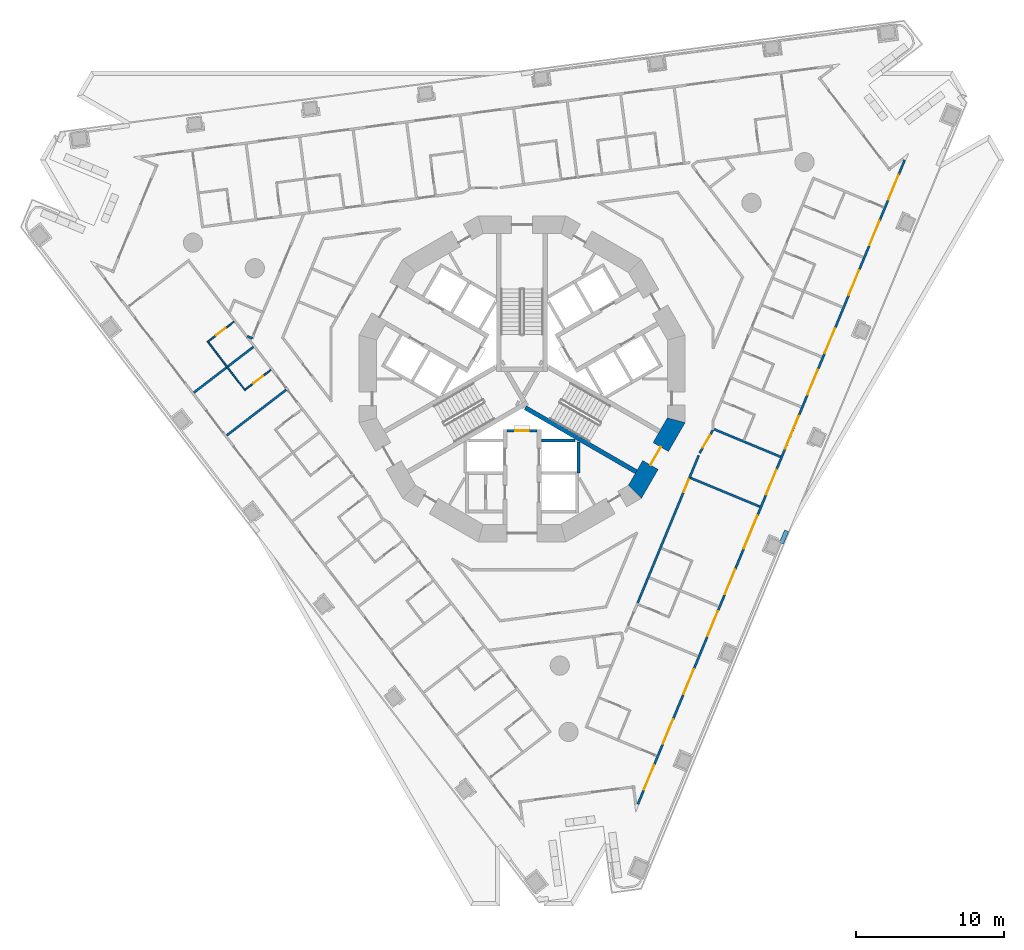
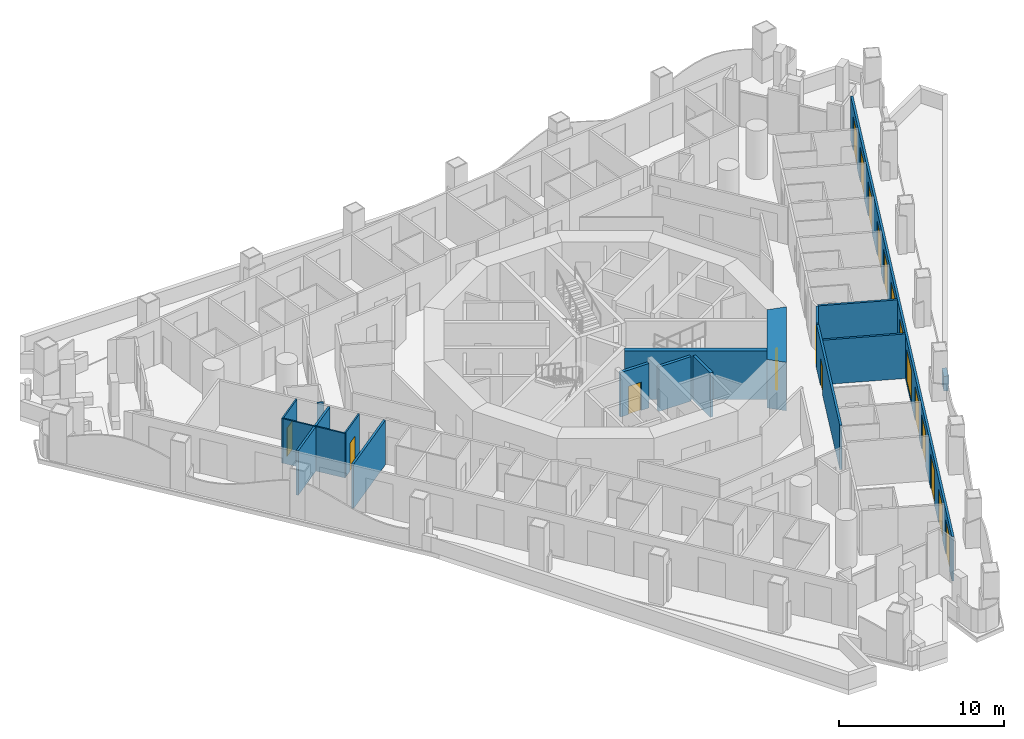
# One storey, part 5 of 20: 18 walls, 17 doors, 2 windows, 19 openings.
"""IFC4 building model written with IfcOpenShell, lengths in metres."""

from ifc_helpers import new_model, si_unit, direction, frame, frame_2d, origin, place, context, subcontext, project, spatial, polyline, rectangle, outline, extrude, material, layer, layer_set, type_object, element, fill, save


model = new_model("IFC4")

# Units and contexts
model_context = context("Model", 3, precision=1e-05, world=origin(), true_north=direction((0.0, 1.0)))
body_context = subcontext(model_context, "Body", "Model", "MODEL_VIEW")
ifc_project = project(units=[si_unit("LENGTHUNIT", "METRE"), si_unit("AREAUNIT", "SQUARE_METRE"), si_unit("VOLUMEUNIT", "CUBIC_METRE"), si_unit("PLANEANGLEUNIT", "RADIAN"), si_unit("MASSUNIT", "GRAM", prefix="KILO")], contexts=[model_context])

# Site, building, storey
site_placement = place(None, origin())
site = spatial("IfcSite", under=ifc_project, at=site_placement, CompositionType="ELEMENT")
building_placement = place(site_placement, origin())
building = spatial("IfcBuilding", under=site, at=building_placement, Name="Trine Commons Tower", CompositionType="ELEMENT")
storey_placement = place(building_placement, frame((0.0, 0.0, 50.39990234375)))
storey = spatial("IfcBuildingStorey", under=building, at=storey_placement, Name="L11", CompositionType="ELEMENT", Elevation=50.39990234375)

# Wall, openings, windows, doors
ifc_material_1 = material(Name="Aluminium-framed insulated wall panel", Category="aluminium")
ifc_layer_1 = layer(ifc_material_1, 0.14990234375)
ifc_layer_set_1 = layer_set([ifc_layer_1], Name="Aluminium-framed insulated wall panel")
wall_type_1 = type_object("IfcWallType", Name="Glazed frame wall 150, EI 60", PredefinedType="SOLIDWALL", material=ifc_layer_set_1)
wall_1_placement = place(storey_placement, frame((105.888671875, 77.410888671875, 0.0), z_axis=(0.0, 0.0, 1.0), x_axis=(-0.38268395344, -0.923879316675, 0.0)))
wall_1 = element("IfcWall", 1, at=wall_1_placement, inside=storey, type_object=wall_type_1, Name="Glazed frame wall F2", PredefinedType="SOLIDWALL", context=body_context, shape_type="SweptSolid", body=[
    extrude(outline(polyline([(0.1494140625, 0.074951171875), (0.1494140625, -0.074951171875), (47.216796875, -0.074951171875), (47.216796875, 0.074951171875), (0.1494140625, 0.074951171875)])), origin(), (0.0, 0.0, 1.0), 3.300048828125),
])
opening_1_placement = place(wall_1_placement, frame((1.2216796875, 0.0, 0.0)))
opening_1 = element("IfcOpeningElement", 2, at=opening_1_placement, cuts=wall_1, Name="Opening BD-2F2-01", PredefinedType="OPENING", context=body_context, shape_type="SweptSolid", body=[
    extrude(rectangle(XDim=1.800048828125, YDim=2.60009765625, at=frame_2d((0.89990234375, 1.300048828125))), frame((0.0, 0.0849609375, 0.0), z_axis=(0.0, -1.0, 0.0), x_axis=(1.0, 0.0, 0.0)), (0.0, 0.0, 1.0), 0.169921875),
])
opening_2_placement = place(wall_1_placement, frame((4.5654296875, 0.0, 0.0)))
opening_2 = element("IfcOpeningElement", 3, at=opening_2_placement, cuts=wall_1, Name="Opening BD-2F2-02", PredefinedType="OPENING", context=body_context, shape_type="SweptSolid", body=[
    extrude(rectangle(XDim=1.800048828125, YDim=2.60009765625, at=frame_2d((0.89990234375, 1.300048828125))), frame((0.0, 0.0849609375, 0.0), z_axis=(0.0, -1.0, 0.0), x_axis=(1.0, 0.0, 0.0)), (0.0, 0.0, 1.0), 0.169921875),
])
opening_3_placement = place(wall_1_placement, frame((8.208984375, 0.0, 0.0)))
opening_3 = element("IfcOpeningElement", 4, at=opening_3_placement, cuts=wall_1, Name="Opening BD-2F2-03", PredefinedType="OPENING", context=body_context, shape_type="SweptSolid", body=[
    extrude(rectangle(XDim=1.800048828125, YDim=2.60009765625, at=frame_2d((0.89990234375, 1.300048828125))), frame((0.0, 0.0849609375, 0.0), z_axis=(0.0, -1.0, 0.0), x_axis=(1.0, 0.0, 0.0)), (0.0, 0.0, 1.0), 0.169921875),
])
opening_4_placement = place(wall_1_placement, frame((12.45263671875, 0.0, 0.0)))
opening_4 = element("IfcOpeningElement", 5, at=opening_4_placement, cuts=wall_1, Name="Opening BD-2F2-04", PredefinedType="OPENING", context=body_context, shape_type="SweptSolid", body=[
    extrude(rectangle(XDim=1.800048828125, YDim=2.60009765625, at=frame_2d((0.89990234375, 1.300048828125))), frame((0.0, 0.0849609375, 0.0), z_axis=(0.0, -1.0, 0.0), x_axis=(1.0, 0.0, 0.0)), (0.0, 0.0, 1.0), 0.169921875),
])
opening_5_placement = place(wall_1_placement, frame((15.49609375, 0.0, 0.0)))
opening_5 = element("IfcOpeningElement", 6, at=opening_5_placement, cuts=wall_1, Name="Opening BD-2F2-05", PredefinedType="OPENING", context=body_context, shape_type="SweptSolid", body=[
    extrude(rectangle(XDim=1.800048828125, YDim=2.60009765625, at=frame_2d((0.89990234375, 1.300048828125))), frame((0.0, 0.0849609375, 0.0), z_axis=(0.0, -1.0, 0.0), x_axis=(1.0, 0.0, 0.0)), (0.0, 0.0, 1.0), 0.169921875),
])
opening_6_placement = place(wall_1_placement, frame((18.83984375, 0.0, 0.14990234375)))
opening_6 = element("IfcOpeningElement", 7, at=opening_6_placement, cuts=wall_1, Name="Opening W-2F2-06", PredefinedType="OPENING", context=body_context, shape_type="SweptSolid", body=[
    extrude(rectangle(XDim=2.39990234375, YDim=2.449951171875, at=frame_2d((1.199951171875, 1.22509765625))), frame((0.0, 0.0849609375, 0.0), z_axis=(0.0, -1.0, 0.0), x_axis=(1.0, 0.0, 0.0)), (0.0, 0.0, 1.0), 0.169921875),
])
opening_7_placement = place(wall_1_placement, frame((22.783447265625, 0.0, 0.0)))
opening_7 = element("IfcOpeningElement", 8, at=opening_7_placement, cuts=wall_1, Name="Opening BD-2F2-07", PredefinedType="OPENING", context=body_context, shape_type="SweptSolid", body=[
    extrude(rectangle(XDim=1.800048828125, YDim=2.60009765625, at=frame_2d((0.89990234375, 1.300048828125))), frame((0.0, 0.0849609375, 0.0), z_axis=(0.0, -1.0, 0.0), x_axis=(1.0, 0.0, 0.0)), (0.0, 0.0, 1.0), 0.169921875),
])
opening_8_placement = place(wall_1_placement, frame((26.126953125, 0.0, 0.14990234375)))
opening_8 = element("IfcOpeningElement", 9, at=opening_8_placement, cuts=wall_1, Name="Opening W-2F2-08", PredefinedType="OPENING", context=body_context, shape_type="SweptSolid", body=[
    extrude(rectangle(XDim=2.39990234375, YDim=2.449951171875, at=frame_2d((1.199951171875, 1.22509765625))), frame((0.0, 0.0849609375, 0.0), z_axis=(0.0, -1.0, 0.0), x_axis=(1.0, 0.0, 0.0)), (0.0, 0.0, 1.0), 0.169921875),
])
opening_9_placement = place(wall_1_placement, frame((30.070556640625, 0.0, 0.0)))
opening_9 = element("IfcOpeningElement", 10, at=opening_9_placement, cuts=wall_1, Name="Opening BD-2F2-09", PredefinedType="OPENING", context=body_context, shape_type="SweptSolid", body=[
    extrude(rectangle(XDim=1.800048828125, YDim=2.60009765625, at=frame_2d((0.89990234375, 1.300048828125))), frame((0.0, 0.0849609375, 0.0), z_axis=(0.0, -1.0, 0.0), x_axis=(1.0, 0.0, 0.0)), (0.0, 0.0, 1.0), 0.169921875),
])
opening_10_placement = place(wall_1_placement, frame((33.1142578125, 0.0, 0.0)))
opening_10 = element("IfcOpeningElement", 11, at=opening_10_placement, cuts=wall_1, Name="Opening BD-2F2-10", PredefinedType="OPENING", context=body_context, shape_type="SweptSolid", body=[
    extrude(rectangle(XDim=1.800048828125, YDim=2.60009765625, at=frame_2d((0.89990234375, 1.300048828125))), frame((0.0, 0.0849609375, 0.0), z_axis=(0.0, -1.0, 0.0), x_axis=(1.0, 0.0, 0.0)), (0.0, 0.0, 1.0), 0.169921875),
])
opening_11_placement = place(wall_1_placement, frame((37.35791015625, 0.0, 0.0)))
opening_11 = element("IfcOpeningElement", 12, at=opening_11_placement, cuts=wall_1, Name="Opening BD-2F2-11", PredefinedType="OPENING", context=body_context, shape_type="SweptSolid", body=[
    extrude(rectangle(XDim=1.800048828125, YDim=2.60009765625, at=frame_2d((0.89990234375, 1.300048828125))), frame((0.0, 0.0849609375, 0.0), z_axis=(0.0, -1.0, 0.0), x_axis=(1.0, 0.0, 0.0)), (0.0, 0.0, 1.0), 0.169921875),
])
opening_12_placement = place(wall_1_placement, frame((41.00146484375, 0.0, 0.0)))
opening_12 = element("IfcOpeningElement", 13, at=opening_12_placement, cuts=wall_1, Name="Opening BD-2F2-12", PredefinedType="OPENING", context=body_context, shape_type="SweptSolid", body=[
    extrude(rectangle(XDim=1.800048828125, YDim=2.60009765625, at=frame_2d((0.89990234375, 1.300048828125))), frame((0.0, 0.0849609375, 0.0), z_axis=(0.0, -1.0, 0.0), x_axis=(1.0, 0.0, 0.0)), (0.0, 0.0, 1.0), 0.169921875),
])
opening_13_placement = place(wall_1_placement, frame((44.344970703125, 0.0, 0.0)))
opening_13 = element("IfcOpeningElement", 14, at=opening_13_placement, cuts=wall_1, Name="Opening BD-2F2-13", PredefinedType="OPENING", context=body_context, shape_type="SweptSolid", body=[
    extrude(rectangle(XDim=1.800048828125, YDim=2.60009765625, at=frame_2d((0.89990234375, 1.300048828125))), frame((0.0, 0.0849609375, 0.0), z_axis=(0.0, -1.0, 0.0), x_axis=(1.0, 0.0, 0.0)), (0.0, 0.0, 1.0), 0.169921875),
])
ifc_material_2 = material(Name="Anodised aluminium frame with double glazing", Category="aluminium")
window_type = type_object("IfcWindowType", Name="Fixed window 2400x2450", PartitioningType="SINGLE_PANEL", PredefinedType="WINDOW", material=ifc_material_2)
window_1_placement = place(opening_6_placement, origin())
window_1 = element("IfcWindow", 15, at=window_1_placement, inside=storey, type_object=window_type, Name="Window F2 6", OverallHeight=2.449951171875, OverallWidth=2.39990234375, PartitioningType="SINGLE_PANEL", PredefinedType="WINDOW", context=body_context, shape_type="SweptSolid", body=[
    extrude(rectangle(XDim=2.39990234375, YDim=2.449951171875, at=frame_2d((1.199951171875, 1.22509765625))), frame((0.0, 0.030029296875, 0.0), z_axis=(0.0, -1.0, 0.0), x_axis=(1.0, 0.0, 0.0)), (0.0, 0.0, 1.0), 0.06005859375),
])
fill(opening_6, window_1)
window_2_placement = place(opening_8_placement, origin())
window_2 = element("IfcWindow", 16, at=window_2_placement, inside=storey, type_object=window_type, Name="Window F2 8", OverallHeight=2.449951171875, OverallWidth=2.39990234375, PartitioningType="SINGLE_PANEL", PredefinedType="WINDOW", context=body_context, shape_type="SweptSolid", body=[
    extrude(rectangle(XDim=2.39990234375, YDim=2.449951171875, at=frame_2d((1.199951171875, 1.22509765625))), frame((0.0, 0.030029296875, 0.0), z_axis=(0.0, -1.0, 0.0), x_axis=(1.0, 0.0, 0.0)), (0.0, 0.0, 1.0), 0.06005859375),
])
fill(opening_8, window_2)
door_type_1 = type_object("IfcDoorType", Name="Sliding loggia door 1800x2600", OperationType="SLIDING_TO_LEFT", PredefinedType="DOOR", material=ifc_material_2)
door_1_placement = place(opening_1_placement, origin())
door_1 = element("IfcDoor", 17, at=door_1_placement, inside=storey, type_object=door_type_1, Name="Loggia door F2 1", OperationType="SLIDING_TO_LEFT", OverallHeight=2.60009765625, OverallWidth=1.800048828125, PredefinedType="DOOR", context=body_context, shape_type="SweptSolid", body=[
    extrude(rectangle(XDim=1.800048828125, YDim=2.60009765625, at=frame_2d((0.89990234375, 1.300048828125))), frame((0.0, 0.02490234375, 0.0), z_axis=(0.0, -1.0, 0.0), x_axis=(1.0, 0.0, 0.0)), (0.0, 0.0, 1.0), 0.050048828125),
])
fill(opening_1, door_1)
door_2_placement = place(opening_2_placement, origin())
door_2 = element("IfcDoor", 18, at=door_2_placement, inside=storey, type_object=door_type_1, Name="Loggia door F2 2", OperationType="SLIDING_TO_LEFT", OverallHeight=2.60009765625, OverallWidth=1.800048828125, PredefinedType="DOOR", context=body_context, shape_type="SweptSolid", body=[
    extrude(rectangle(XDim=1.800048828125, YDim=2.60009765625, at=frame_2d((0.89990234375, 1.300048828125))), frame((0.0, 0.02490234375, 0.0), z_axis=(0.0, -1.0, 0.0), x_axis=(1.0, 0.0, 0.0)), (0.0, 0.0, 1.0), 0.050048828125),
])
fill(opening_2, door_2)
door_3_placement = place(opening_3_placement, origin())
door_3 = element("IfcDoor", 19, at=door_3_placement, inside=storey, type_object=door_type_1, Name="Loggia door F2 3", OperationType="SLIDING_TO_LEFT", OverallHeight=2.60009765625, OverallWidth=1.800048828125, PredefinedType="DOOR", context=body_context, shape_type="SweptSolid", body=[
    extrude(rectangle(XDim=1.800048828125, YDim=2.60009765625, at=frame_2d((0.89990234375, 1.300048828125))), frame((0.0, 0.02490234375, 0.0), z_axis=(0.0, -1.0, 0.0), x_axis=(1.0, 0.0, 0.0)), (0.0, 0.0, 1.0), 0.050048828125),
])
fill(opening_3, door_3)
door_4_placement = place(opening_4_placement, origin())
door_4 = element("IfcDoor", 20, at=door_4_placement, inside=storey, type_object=door_type_1, Name="Loggia door F2 4", OperationType="SLIDING_TO_LEFT", OverallHeight=2.60009765625, OverallWidth=1.800048828125, PredefinedType="DOOR", context=body_context, shape_type="SweptSolid", body=[
    extrude(rectangle(XDim=1.800048828125, YDim=2.60009765625, at=frame_2d((0.89990234375, 1.300048828125))), frame((0.0, 0.02490234375, 0.0), z_axis=(0.0, -1.0, 0.0), x_axis=(1.0, 0.0, 0.0)), (0.0, 0.0, 1.0), 0.050048828125),
])
fill(opening_4, door_4)
door_5_placement = place(opening_5_placement, origin())
door_5 = element("IfcDoor", 21, at=door_5_placement, inside=storey, type_object=door_type_1, Name="Loggia door F2 5", OperationType="SLIDING_TO_LEFT", OverallHeight=2.60009765625, OverallWidth=1.800048828125, PredefinedType="DOOR", context=body_context, shape_type="SweptSolid", body=[
    extrude(rectangle(XDim=1.800048828125, YDim=2.60009765625, at=frame_2d((0.89990234375, 1.300048828125))), frame((0.0, 0.02490234375, 0.0), z_axis=(0.0, -1.0, 0.0), x_axis=(1.0, 0.0, 0.0)), (0.0, 0.0, 1.0), 0.050048828125),
])
fill(opening_5, door_5)
door_6_placement = place(opening_7_placement, origin())
door_6 = element("IfcDoor", 22, at=door_6_placement, inside=storey, type_object=door_type_1, Name="Loggia door F2 7", OperationType="SLIDING_TO_LEFT", OverallHeight=2.60009765625, OverallWidth=1.800048828125, PredefinedType="DOOR", context=body_context, shape_type="SweptSolid", body=[
    extrude(rectangle(XDim=1.800048828125, YDim=2.60009765625, at=frame_2d((0.89990234375, 1.300048828125))), frame((0.0, 0.02490234375, 0.0), z_axis=(0.0, -1.0, 0.0), x_axis=(1.0, 0.0, 0.0)), (0.0, 0.0, 1.0), 0.050048828125),
])
fill(opening_7, door_6)
door_7_placement = place(opening_9_placement, origin())
door_7 = element("IfcDoor", 23, at=door_7_placement, inside=storey, type_object=door_type_1, Name="Loggia door F2 9", OperationType="SLIDING_TO_LEFT", OverallHeight=2.60009765625, OverallWidth=1.800048828125, PredefinedType="DOOR", context=body_context, shape_type="SweptSolid", body=[
    extrude(rectangle(XDim=1.800048828125, YDim=2.60009765625, at=frame_2d((0.89990234375, 1.300048828125))), frame((0.0, 0.02490234375, 0.0), z_axis=(0.0, -1.0, 0.0), x_axis=(1.0, 0.0, 0.0)), (0.0, 0.0, 1.0), 0.050048828125),
])
fill(opening_9, door_7)
door_8_placement = place(opening_10_placement, origin())
door_8 = element("IfcDoor", 24, at=door_8_placement, inside=storey, type_object=door_type_1, Name="Loggia door F2 10", OperationType="SLIDING_TO_LEFT", OverallHeight=2.60009765625, OverallWidth=1.800048828125, PredefinedType="DOOR", context=body_context, shape_type="SweptSolid", body=[
    extrude(rectangle(XDim=1.800048828125, YDim=2.60009765625, at=frame_2d((0.89990234375, 1.300048828125))), frame((0.0, 0.02490234375, 0.0), z_axis=(0.0, -1.0, 0.0), x_axis=(1.0, 0.0, 0.0)), (0.0, 0.0, 1.0), 0.050048828125),
])
fill(opening_10, door_8)
door_9_placement = place(opening_11_placement, origin())
door_9 = element("IfcDoor", 25, at=door_9_placement, inside=storey, type_object=door_type_1, Name="Loggia door F2 11", OperationType="SLIDING_TO_LEFT", OverallHeight=2.60009765625, OverallWidth=1.800048828125, PredefinedType="DOOR", context=body_context, shape_type="SweptSolid", body=[
    extrude(rectangle(XDim=1.800048828125, YDim=2.60009765625, at=frame_2d((0.89990234375, 1.300048828125))), frame((0.0, 0.02490234375, 0.0), z_axis=(0.0, -1.0, 0.0), x_axis=(1.0, 0.0, 0.0)), (0.0, 0.0, 1.0), 0.050048828125),
])
fill(opening_11, door_9)
door_10_placement = place(opening_12_placement, origin())
door_10 = element("IfcDoor", 26, at=door_10_placement, inside=storey, type_object=door_type_1, Name="Loggia door F2 12", OperationType="SLIDING_TO_LEFT", OverallHeight=2.60009765625, OverallWidth=1.800048828125, PredefinedType="DOOR", context=body_context, shape_type="SweptSolid", body=[
    extrude(rectangle(XDim=1.800048828125, YDim=2.60009765625, at=frame_2d((0.89990234375, 1.300048828125))), frame((0.0, 0.02490234375, 0.0), z_axis=(0.0, -1.0, 0.0), x_axis=(1.0, 0.0, 0.0)), (0.0, 0.0, 1.0), 0.050048828125),
])
fill(opening_12, door_10)
door_11_placement = place(opening_13_placement, origin())
door_11 = element("IfcDoor", 27, at=door_11_placement, inside=storey, type_object=door_type_1, Name="Loggia door F2 13", OperationType="SLIDING_TO_LEFT", OverallHeight=2.60009765625, OverallWidth=1.800048828125, PredefinedType="DOOR", context=body_context, shape_type="SweptSolid", body=[
    extrude(rectangle(XDim=1.800048828125, YDim=2.60009765625, at=frame_2d((0.89990234375, 1.300048828125))), frame((0.0, 0.02490234375, 0.0), z_axis=(0.0, -1.0, 0.0), x_axis=(1.0, 0.0, 0.0)), (0.0, 0.0, 1.0), 0.050048828125),
])
fill(opening_13, door_11)

# Wall, opening, door
ifc_material_3 = material(Name="Fire-rated gypsum shaft wall system")
ifc_layer_2 = layer(ifc_material_3, 0.199951171875)
ifc_layer_set_2 = layer_set([ifc_layer_2], Name="Fire-rated gypsum shaft wall system")
wall_type_2 = type_object("IfcWallType", Name="Lobby end wall 200 mm, EI 120", PredefinedType="PARTITIONING", material=ifc_layer_set_2)
wall_2_placement = place(storey_placement, frame((79.0, 59.0, 0.0), z_axis=(0.0, 0.0, 1.0), x_axis=(1.0, 0.0, 0.0)))
wall_2 = element("IfcWall", 28, at=wall_2_placement, inside=storey, type_object=wall_type_2, Name="Lobby end wall L11", PredefinedType="PARTITIONING", context=body_context, shape_type="SweptSolid", body=[
    extrude(rectangle(XDim=2.0, YDim=0.199951171875, at=frame_2d((1.0, 0.0))), origin(), (0.0, 0.0, 1.0), 3.300048828125),
])
opening_14_placement = place(wall_2_placement, frame((0.550048828125, 0.0, 0.0)))
opening_14 = element("IfcOpeningElement", 29, at=opening_14_placement, cuts=wall_2, Name="Opening K06.09", PredefinedType="OPENING", context=body_context, shape_type="SweptSolid", body=[
    extrude(rectangle(XDim=0.89990234375, YDim=2.10009765625, at=frame_2d((0.449951171875, 1.050048828125))), frame((0.0, 0.10986328125, 0.0), z_axis=(0.0, -1.0, 0.0), x_axis=(1.0, 0.0, 0.0)), (0.0, 0.0, 1.0), 0.219970703125),
])
ifc_material_4 = material(Name="Steel door leaf, fire-rated", Category="steel")
door_type_2 = type_object("IfcDoorType", Name="Riser access door, single leaf 900 x 2100, FD60", OperationType="SINGLE_SWING_LEFT", PredefinedType="DOOR", material=ifc_material_4)
door_12_placement = place(opening_14_placement, frame((0.89990234375, 0.0, 0.0), z_axis=(0.0, 0.0, 1.0), x_axis=(-1.0, 0.0, 0.0)))
door_12 = element("IfcDoor", 30, at=door_12_placement, inside=storey, type_object=door_type_2, Name="Riser door, Communications riser L11", OperationType="SINGLE_SWING_RIGHT", OverallHeight=2.10009765625, OverallWidth=0.89990234375, PredefinedType="DOOR", context=body_context, shape_type="SweptSolid", body=[
    extrude(rectangle(XDim=0.89990234375, YDim=2.10009765625, at=frame_2d((0.449951171875, 1.050048828125))), frame((0.0, 0.02490234375, 0.0), z_axis=(0.0, -1.0, 0.0), x_axis=(1.0, 0.0, 0.0)), (0.0, 0.0, 1.0), 0.050048828125),
])
fill(opening_14, door_12)

ifc_material_5 = material(Name="Concrete C80/95", Category="concrete")
ifc_layer_3 = layer(ifc_material_5, 1.199951171875)
ifc_layer_set_3 = layer_set([ifc_layer_3], Name="Concrete C80/95")
wall_type_3 = type_object("IfcWallType", Name="RC shear wall 1200 mm, C80/95", PredefinedType="SHEAR", material=ifc_layer_set_3)
wall_3_placement = place(storey_placement, frame((87.54150390625, 54.739013671875, 0.0), z_axis=(0.0, 0.0, 1.0), x_axis=(0.499979111662, 0.866037463336, 0.0)))
wall_3 = element("IfcWall", 31, at=wall_3_placement, inside=storey, type_object=wall_type_3, Name="Core wall CWB-12 L11", PredefinedType="SHEAR", context=body_context, shape_type="SweptSolid", body=[
    extrude(outline(polyline([(0.0, -0.60009765625), (5.901123046875, -0.60009765625), (5.57958984375, 0.60009765625), (0.321533203125, 0.60009765625), (0.0, -0.60009765625)])), origin(), (0.0, 0.0, 1.0), 3.60009765625),
])
opening_15_placement = place(wall_3_placement, frame((2.25048828125, 0.0, 0.0)))
opening_15 = element("IfcOpeningElement", 32, at=opening_15_placement, cuts=wall_3, Name="Opening K06.03", PredefinedType="OPENING", context=body_context, shape_type="SweptSolid", body=[
    extrude(rectangle(XDim=1.39990234375, YDim=2.10009765625, at=frame_2d((0.699951171875, 1.050048828125))), frame((0.0, 0.60986328125, 0.0), z_axis=(0.0, -1.0, 0.0), x_axis=(1.0, 0.0, 0.0)), (0.0, 0.0, 1.0), 1.219970703125),
])
ifc_material_6 = material(Name="Steel door leaves, fire-rated", Category="steel")
door_type_3 = type_object("IfcDoorType", Name="Stair door, double leaf 1400 x 2100, FD90", OperationType="DOUBLE_DOOR_SINGLE_SWING", PredefinedType="DOOR", material=ifc_material_6)
door_13_placement = place(opening_15_placement, origin())
door_13 = element("IfcDoor", 33, at=door_13_placement, inside=storey, type_object=door_type_3, Name="Stair door to Exit stair ST3A L11", OperationType="DOUBLE_DOOR_SINGLE_SWING", OverallHeight=2.10009765625, OverallWidth=1.39990234375, PredefinedType="DOOR", context=body_context, shape_type="SweptSolid", body=[
    extrude(rectangle(XDim=1.39990234375, YDim=2.10009765625, at=frame_2d((0.699951171875, 1.050048828125))), frame((0.0, 0.02490234375, 0.0), z_axis=(0.0, -1.0, 0.0), x_axis=(1.0, 0.0, 0.0)), (0.0, 0.0, 1.0), 0.050048828125),
])
fill(opening_15, door_13)

# Walls
ifc_layer_4 = layer(ifc_material_5, 0.300048828125)
ifc_layer_set_4 = layer_set([ifc_layer_4], Name="Concrete C80/95")
wall_type_4 = type_object("IfcWallType", Name="RC shear wall 300 mm, C80/95", PredefinedType="SHEAR", material=ifc_layer_set_4)
wall_4_placement = place(storey_placement, frame((80.22509765625, 60.552001953125, 0.0), z_axis=(0.0, 0.0, 1.0), x_axis=(0.865965399159, -0.500103916661, 0.0)))
element("IfcWall", 34, at=wall_4_placement, inside=storey, type_object=wall_type_4, Name="Core cross wall SWA-13 L11", PredefinedType="SHEAR", context=body_context, shape_type="SweptSolid", body=[
    extrude(rectangle(XDim=8.642333984375, YDim=0.300048828125, at=frame_2d((4.3212890625, 0.0))), origin(), (0.0, 0.0, 1.0), 3.60009765625),
])
ifc_layer_5 = layer(ifc_material_3, 0.199951171875)
ifc_layer_set_5 = layer_set([ifc_layer_5], Name="Fire-rated gypsum shaft wall system")
wall_type_5 = type_object("IfcWallType", Name="Shaft wall 200 mm, EI 120", PredefinedType="PARTITIONING", material=ifc_layer_set_5)
wall_5_placement = place(storey_placement, frame((81.300048828125, 58.35009765625, 0.0), z_axis=(0.0, 0.0, 1.0), x_axis=(1.0, 0.0, 0.0)))
element("IfcWall", 35, at=wall_5_placement, inside=storey, type_object=wall_type_5, Name="Shaft wall L11", PredefinedType="PARTITIONING", context=body_context, shape_type="SweptSolid", body=[
    extrude(rectangle(XDim=2.264892578125, YDim=0.199951171875, at=frame_2d((1.13232421875, 0.0))), origin(), (0.0, 0.0, 1.0), 3.300048828125),
])
wall_6_placement = place(storey_placement, frame((83.800048828125, 58.256103515625, 0.0), z_axis=(0.0, 0.0, 1.0), x_axis=(0.0, -1.0, 0.0)))
element("IfcWall", 36, at=wall_6_placement, inside=storey, type_object=wall_type_5, Name="Shaft wall L11", PredefinedType="PARTITIONING", context=body_context, shape_type="SweptSolid", body=[
    extrude(rectangle(XDim=2.106201171875, YDim=0.199951171875, at=frame_2d((1.05322265625, 0.0))), origin(), (0.0, 0.0, 1.0), 3.300048828125),
])
ifc_material_7 = material(Name="Limestone, honed", Category="masonry")
ifc_layer_6 = layer(ifc_material_7, 0.300048828125)
ifc_layer_set_6 = layer_set([ifc_layer_6], Name="Limestone, honed")
wall_type_6 = type_object("IfcWallType", Name="Stone parapet 300", PredefinedType="PARAPET", material=ifc_layer_set_6)
wall_7_placement = place(storey_placement, origin())
element("IfcWall", 37, at=wall_7_placement, inside=storey, type_object=wall_type_6, Name="Sliver roof parapet extension L10 6.X1", PredefinedType="PARAPET", context=body_context, shape_type="SweptSolid", body=[
    extrude(outline(polyline([(97.999755859375, 52.185546875), (97.72265625, 52.30029296875), (97.378173828125, 51.468994140625), (97.6552734375, 51.35400390625), (97.791015625, 51.681396484375), (97.999755859375, 52.185546875)])), origin(), (0.0, 0.0, 1.0), 1.10009765625),
])
ifc_material_8 = material(Name="Gypsum plasterboard on steel stud", Category="steel")
ifc_layer_7 = layer(ifc_material_8, 0.14990234375)
ifc_layer_set_7 = layer_set([ifc_layer_7], Name="Gypsum plasterboard on steel stud")
wall_type_7 = type_object("IfcWallType", Name="Unit and corridor wall 150 mm, EI 60", PredefinedType="PARTITIONING", material=ifc_layer_set_7)
wall_8_placement = place(storey_placement, frame((57.84765625, 61.576416015625, 0.0), z_axis=(0.0, 0.0, 1.0), x_axis=(0.793280814045, 0.608855935397, 0.0)))
element("IfcWall", 38, at=wall_8_placement, inside=storey, type_object=wall_type_7, Name="Partition 004", PredefinedType="PARTITIONING", context=body_context, shape_type="SweptSolid", body=[
    extrude(rectangle(XDim=2.789306640625, YDim=0.14990234375, at=frame_2d((1.39453125, 0.0))), origin(), (0.0, 0.0, 1.0), 3.300048828125),
])
wall_9_placement = place(storey_placement, frame((60.065673828125, 58.686279296875, 0.0), z_axis=(0.0, 0.0, 1.0), x_axis=(0.793444149255, 0.608643066184, 0.0)))
element("IfcWall", 39, at=wall_9_placement, inside=storey, type_object=wall_type_7, Name="Partition 010", PredefinedType="PARTITIONING", context=body_context, shape_type="SweptSolid", body=[
    extrude(rectangle(XDim=5.063720703125, YDim=0.14990234375, at=frame_2d((2.53173828125, 0.0))), origin(), (0.0, 0.0, 1.0), 3.300048828125),
])
wall_10_placement = place(storey_placement, frame((60.1396484375, 63.33544921875, 0.0), z_axis=(0.0, 0.0, 1.0), x_axis=(0.79342025342, 0.608674216197, 0.0)))
element("IfcWall", 40, at=wall_10_placement, inside=storey, type_object=wall_type_7, Name="Partition 012", PredefinedType="PARTITIONING", context=body_context, shape_type="SweptSolid", body=[
    extrude(rectangle(XDim=2.17529296875, YDim=0.14990234375, at=frame_2d((1.087646484375, 0.0))), origin(), (0.0, 0.0, 1.0), 3.300048828125),
])
wall_11_placement = place(storey_placement, frame((61.43896484375, 65.38330078125, 0.0), z_axis=(0.0, 0.0, 1.0), x_axis=(0.923599819829, -0.383358021714, 0.0)))
element("IfcWall", 41, at=wall_11_placement, inside=storey, type_object=wall_type_7, Name="Partition 018", PredefinedType="PARTITIONING", context=body_context, shape_type="SweptSolid", body=[
    extrude(rectangle(XDim=0.39990234375, YDim=0.14990234375, at=frame_2d((0.199951171875, 0.0))), origin(), (0.0, 0.0, 1.0), 3.300048828125),
])

# Wall, opening, door
wall_12_placement = place(storey_placement, frame((87.81103515625, 47.39306640625, 0.0), z_axis=(0.0, 0.0, 1.0), x_axis=(0.382671722525, 0.923884382799, 0.0)))
wall_12 = element("IfcWall", 42, at=wall_12_placement, inside=storey, type_object=wall_type_7, Name="Partition 117", PredefinedType="PARTITIONING", context=body_context, shape_type="SweptSolid", body=[
    extrude(rectangle(XDim=10.760986328125, YDim=0.14990234375, at=frame_2d((5.38037109375, 0.0))), origin(), (0.0, 0.0, 1.0), 3.300048828125),
])
opening_16_placement = place(wall_12_placement, frame((8.09619140625, 0.0, 0.0)))
opening_16 = element("IfcOpeningElement", 43, at=opening_16_placement, cuts=wall_12, Name="Opening D-2A23", PredefinedType="OPENING", context=body_context, shape_type="SweptSolid", body=[
    extrude(rectangle(XDim=0.89990234375, YDim=2.10009765625, at=frame_2d((0.449951171875, 1.050048828125))), frame((0.0, 0.0849609375, 0.0), z_axis=(0.0, -1.0, 0.0), x_axis=(1.0, 0.0, 0.0)), (0.0, 0.0, 1.0), 0.169921875),
])
ifc_material_9 = material(Name="Timber fire door set", Category="wood")
door_type_4 = type_object("IfcDoorType", Name="Bedroom door 900 x 2100, FD30S", OperationType="NOTDEFINED", PredefinedType="DOOR", material=ifc_material_9)
door_14_placement = place(opening_16_placement, frame((0.89990234375, 0.0, 0.0), z_axis=(0.0, 0.0, 1.0), x_axis=(-1.0, 0.0, 0.0)))
door_14 = element("IfcDoor", 44, at=door_14_placement, inside=storey, type_object=door_type_4, Name="Door D-2A23", OperationType="SINGLE_SWING_LEFT", OverallHeight=2.10009765625, OverallWidth=0.89990234375, PredefinedType="DOOR", context=body_context, shape_type="SweptSolid", body=[
    extrude(rectangle(XDim=0.89990234375, YDim=2.10009765625, at=frame_2d((0.449951171875, 1.050048828125))), frame((0.0, 0.02490234375, 0.0), z_axis=(0.0, -1.0, 0.0), x_axis=(1.0, 0.0, 0.0)), (0.0, 0.0, 1.0), 0.050048828125),
])
fill(opening_16, door_14)

# Wall
wall_13_placement = place(storey_placement, frame((91.38037109375, 55.814208984375, 0.0), z_axis=(0.0, 0.0, 1.0), x_axis=(0.923879340067, -0.382683896966, 0.0)))
element("IfcWall", 45, at=wall_13_placement, inside=storey, type_object=wall_type_7, Name="Partition 128", PredefinedType="PARTITIONING", context=body_context, shape_type="SweptSolid", body=[
    extrude(rectangle(XDim=5.064208984375, YDim=0.14990234375, at=frame_2d((2.5322265625, 0.0))), origin(), (0.0, 0.0, 1.0), 3.300048828125),
])

# Wall, opening, door
wall_14_placement = place(storey_placement, frame((91.988037109375, 57.490966796875, 0.0), z_axis=(0.0, 0.0, 1.0), x_axis=(0.500200642588, 0.865909531738, 0.0)))
wall_14 = element("IfcWall", 46, at=wall_14_placement, inside=storey, type_object=wall_type_7, Name="Partition 132", PredefinedType="PARTITIONING", context=body_context, shape_type="SweptSolid", body=[
    extrude(rectangle(XDim=1.797119140625, YDim=0.14990234375, at=frame_2d((0.8984375, 0.0))), origin(), (0.0, 0.0, 1.0), 3.300048828125),
])
opening_17_placement = place(wall_14_placement, frame((0.418701171875, 0.0, 0.0)))
opening_17 = element("IfcOpeningElement", 47, at=opening_17_placement, cuts=wall_14, Name="Opening D-2A22", PredefinedType="OPENING", context=body_context, shape_type="SweptSolid", body=[
    extrude(rectangle(XDim=1.0, YDim=2.10009765625, at=frame_2d((0.5, 1.050048828125))), frame((0.0, 0.0849609375, 0.0), z_axis=(0.0, -1.0, 0.0), x_axis=(1.0, 0.0, 0.0)), (0.0, 0.0, 1.0), 0.169921875),
])
ifc_material_10 = material(Name="Painted timber", Category="wood")
door_type_5 = type_object("IfcDoorType", Name="Toilet door 1000 x 2100, NOT RATED", OperationType="NOTDEFINED", PredefinedType="DOOR", material=ifc_material_10)
door_15_placement = place(opening_17_placement, frame((1.0, 0.0, 0.0), z_axis=(0.0, 0.0, 1.0), x_axis=(-1.0, 0.0, 0.0)))
door_15 = element("IfcDoor", 48, at=door_15_placement, inside=storey, type_object=door_type_5, Name="Door D-2A22", OperationType="SINGLE_SWING_LEFT", OverallHeight=2.10009765625, OverallWidth=1.0, PredefinedType="DOOR", context=body_context, shape_type="SweptSolid", body=[
    extrude(rectangle(XDim=1.0, YDim=2.10009765625, at=frame_2d((0.5, 1.050048828125))), frame((0.0, 0.02490234375, 0.0), z_axis=(0.0, -1.0, 0.0), x_axis=(1.0, 0.0, 0.0)), (0.0, 0.0, 1.0), 0.050048828125),
])
fill(opening_17, door_15)

# Wall
wall_15_placement = place(storey_placement, frame((92.956298828125, 59.105224609375, 0.0), z_axis=(0.0, 0.0, 1.0), x_axis=(0.923843801062, -0.382769684325, 0.0)))
element("IfcWall", 49, at=wall_15_placement, inside=storey, type_object=wall_type_7, Name="Partition 135", PredefinedType="PARTITIONING", context=body_context, shape_type="SweptSolid", body=[
    extrude(rectangle(XDim=4.8671875, YDim=0.14990234375, at=frame_2d((2.43359375, 0.0))), origin(), (0.0, 0.0, 1.0), 3.300048828125),
])

# Wall, opening, door
ifc_layer_8 = layer(ifc_material_8, 0.10009765625)
ifc_layer_set_8 = layer_set([ifc_layer_8], Name="Gypsum plasterboard on steel stud")
wall_type_8 = type_object("IfcWallType", Name="Unit partition 100 mm, no rating", PredefinedType="PARTITIONING", material=ifc_layer_set_8)
wall_16_placement = place(storey_placement, frame((58.751220703125, 64.980712890625, 0.0), z_axis=(0.0, 0.0, 1.0), x_axis=(0.793437070432, 0.608652294224, 0.0)))
wall_16 = element("IfcWall", 50, at=wall_16_placement, inside=storey, type_object=wall_type_8, Name="Partition 008", PredefinedType="PARTITIONING", context=body_context, shape_type="SweptSolid", body=[
    extrude(rectangle(XDim=2.275146484375, YDim=0.10009765625, at=frame_2d((1.1376953125, 0.0))), origin(), (0.0, 0.0, 1.0), 3.300048828125),
])
opening_18_placement = place(wall_16_placement, frame((0.762451171875, 0.0, 0.0)))
opening_18 = element("IfcOpeningElement", 51, at=opening_18_placement, cuts=wall_16, Name="Opening D-2A65", PredefinedType="OPENING", context=body_context, shape_type="SweptSolid", body=[
    extrude(rectangle(XDim=0.800048828125, YDim=2.10009765625, at=frame_2d((0.39990234375, 1.050048828125))), frame((0.0, 0.06005859375, 0.0), z_axis=(0.0, -1.0, 0.0), x_axis=(1.0, 0.0, 0.0)), (0.0, 0.0, 1.0), 0.1201171875),
])
door_type_6 = type_object("IfcDoorType", Name="Internal door 800 x 2100, NOT RATED", OperationType="NOTDEFINED", PredefinedType="DOOR", material=ifc_material_10)
door_16_placement = place(opening_18_placement, origin())
door_16 = element("IfcDoor", 52, at=door_16_placement, inside=storey, type_object=door_type_6, Name="Door D-2A65", OperationType="SINGLE_SWING_RIGHT", OverallHeight=2.10009765625, OverallWidth=0.800048828125, PredefinedType="DOOR", context=body_context, shape_type="SweptSolid", body=[
    extrude(rectangle(XDim=0.800048828125, YDim=2.10009765625, at=frame_2d((0.39990234375, 1.050048828125))), frame((0.0, 0.02490234375, 0.0), z_axis=(0.0, -1.0, 0.0), x_axis=(1.0, 0.0, 0.0)), (0.0, 0.0, 1.0), 0.050048828125),
])
fill(opening_18, door_16)

# Wall
wall_17_placement = place(storey_placement, frame((58.8212890625, 64.97119140625, 0.0), z_axis=(0.0, 0.0, 1.0), x_axis=(0.608766496324, -0.793349451978, 0.0)))
element("IfcWall", 53, at=wall_17_placement, inside=storey, type_object=wall_type_8, Name="Partition 009", PredefinedType="PARTITIONING", context=body_context, shape_type="SweptSolid", body=[
    extrude(rectangle(XDim=4.100341796875, YDim=0.10009765625, at=frame_2d((2.05029296875, 0.0))), origin(), (0.0, 0.0, 1.0), 3.300048828125),
])

# Wall, opening, door
wall_18_placement = place(storey_placement, frame((61.32666015625, 61.788330078125, 0.0), z_axis=(0.0, 0.0, 1.0), x_axis=(0.79342025342, 0.608674216197, 0.0)))
wall_18 = element("IfcWall", 54, at=wall_18_placement, inside=storey, type_object=wall_type_8, Name="Partition 016", PredefinedType="PARTITIONING", context=body_context, shape_type="SweptSolid", body=[
    extrude(rectangle(XDim=2.17529296875, YDim=0.10009765625, at=frame_2d((1.087646484375, 0.0))), origin(), (0.0, 0.0, 1.0), 3.300048828125),
])
opening_19_placement = place(wall_18_placement, frame((0.6875, 0.0, 0.0)))
opening_19 = element("IfcOpeningElement", 55, at=opening_19_placement, cuts=wall_18, Name="Opening D-2A64", PredefinedType="OPENING", context=body_context, shape_type="SweptSolid", body=[
    extrude(rectangle(XDim=0.800048828125, YDim=2.10009765625, at=frame_2d((0.39990234375, 1.050048828125))), frame((0.0, 0.06005859375, 0.0), z_axis=(0.0, -1.0, 0.0), x_axis=(1.0, 0.0, 0.0)), (0.0, 0.0, 1.0), 0.1201171875),
])
door_17_placement = place(opening_19_placement, frame((0.800048828125, 0.0, 0.0), z_axis=(0.0, 0.0, 1.0), x_axis=(-1.0, 0.0, 0.0)))
door_17 = element("IfcDoor", 56, at=door_17_placement, inside=storey, type_object=door_type_6, Name="Door D-2A64", OperationType="SINGLE_SWING_LEFT", OverallHeight=2.10009765625, OverallWidth=0.800048828125, PredefinedType="DOOR", context=body_context, shape_type="SweptSolid", body=[
    extrude(rectangle(XDim=0.800048828125, YDim=2.10009765625, at=frame_2d((0.39990234375, 1.050048828125))), frame((0.0, 0.02490234375, 0.0), z_axis=(0.0, -1.0, 0.0), x_axis=(1.0, 0.0, 0.0)), (0.0, 0.0, 1.0), 0.050048828125),
])
fill(opening_19, door_17)

save(model, "model.ifc")
